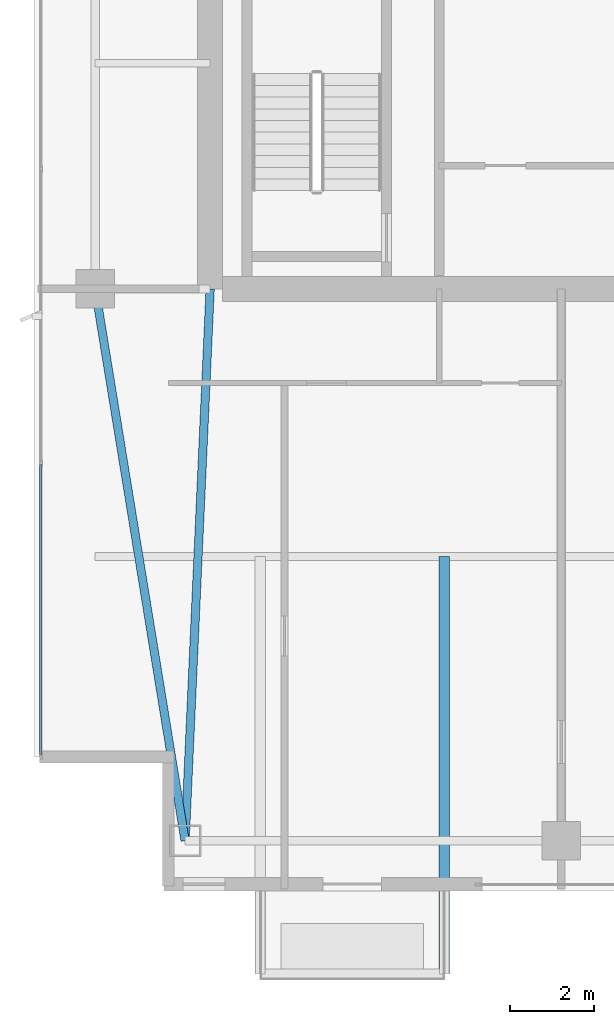
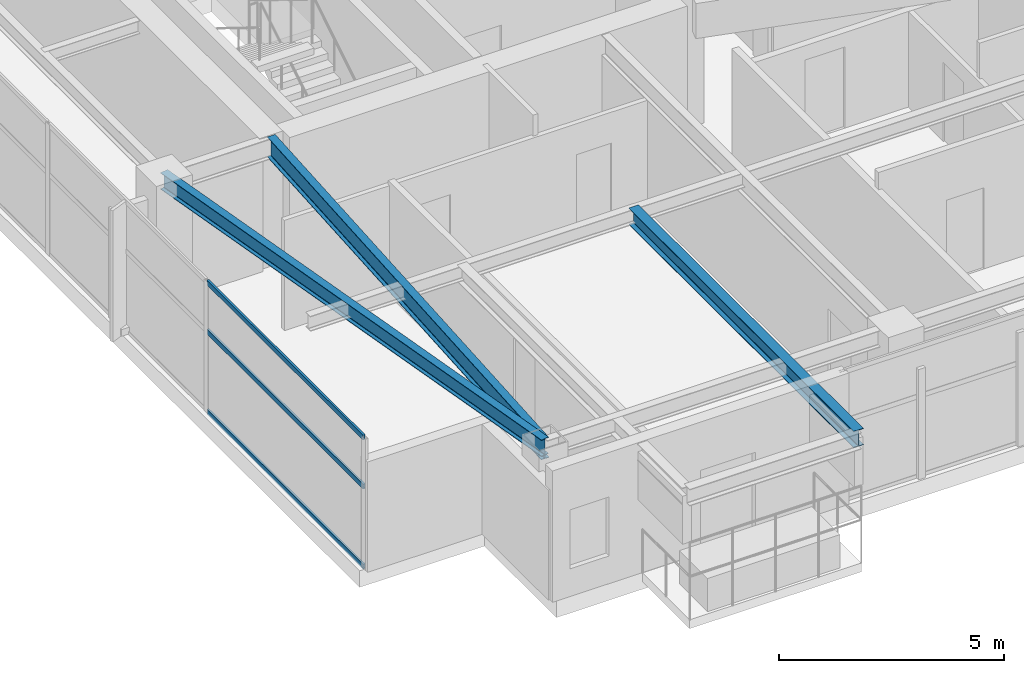
# One storey, part 4 of 27: 3 beams, 3 members, 1 element without a shape of its own.
"""IFC4 building model written with IfcOpenShell, lengths in metres."""

from ifc_helpers import new_model, si_unit, direction, frame, origin, origin_2d, place, context, subcontext, project, spatial, hollow_rectangle, i_section, extrude, material, layer, layer_set, material_profile, profile_set, type_object, element, aggregate, save


model = new_model("IFC4")

# Units and contexts
model_context = context("Model", 3, precision=1e-05, world=origin(), true_north=direction((0.0, 1.0)))
body_context = subcontext(model_context, "Body", "Model", "MODEL_VIEW")
ifc_project = project(units=[si_unit("LENGTHUNIT", "METRE"), si_unit("AREAUNIT", "SQUARE_METRE"), si_unit("VOLUMEUNIT", "CUBIC_METRE"), si_unit("PLANEANGLEUNIT", "RADIAN"), si_unit("MASSUNIT", "GRAM", prefix="KILO")], contexts=[model_context])

# Site, building, storey
site_placement = place(None, origin())
site = spatial("IfcSite", under=ifc_project, at=site_placement, CompositionType="ELEMENT")
building_placement = place(site_placement, origin())
building = spatial("IfcBuilding", under=site, at=building_placement, Name="Calvorn Quay Hotel", CompositionType="ELEMENT")
storey_placement = place(building_placement, frame((0.0, 0.0, 287.300048828125)))
storey = spatial("IfcBuildingStorey", under=building, at=storey_placement, Name="L71", CompositionType="ELEMENT", Elevation=287.300048828125)

# Beams
ifc_material_1 = material(Name="Steel Q355B", Category="steel")
ifc_material_profile_1 = material_profile(ifc_material_1, i_section(OverallWidth=0.25, OverallDepth=0.449951171875, WebThickness=0.011962890625, FlangeThickness=0.01611328125, FilletRadius=0.01611328125, at=origin_2d()), Name="HN450x250x12x16")
ifc_profile_set_1 = profile_set([ifc_material_profile_1], Name="Steel Q355B")
beam_type_1 = type_object("IfcBeamType", Name="BM-CANT-BALC", PredefinedType="BEAM", material=ifc_profile_set_1)
beam_1_placement = place(storey_placement, frame((9.800048828125, 10.39990234375, 3.31494140625), z_axis=(0.0, -1.0, 0.0), x_axis=(1.0, 0.0, 0.0)))
element("IfcBeam", 1, at=beam_1_placement, inside=storey, type_object=beam_type_1, Name="Cantilever Balcony Beam BCB-L72-2B", PredefinedType="BEAM", context=body_context, shape_type="SweptSolid", body=[
    extrude(i_section(OverallWidth=0.25, OverallDepth=0.449951171875, WebThickness=0.011962890625, FlangeThickness=0.01611328125, FilletRadius=0.01611328125, at=origin_2d()), origin(), (0.0, 0.0, 1.0), 9.989990234375),
])
ifc_material_2 = material(Name="Steel Q355B", Category="steel")
ifc_material_profile_2 = material_profile(ifc_material_2, i_section(OverallWidth=0.199951171875, OverallDepth=0.550048828125, WebThickness=0.010009765625, FlangeThickness=0.01611328125, FilletRadius=0.01806640625, at=origin_2d()), Name="HN550x200x10x16")
ifc_profile_set_2 = profile_set([ifc_material_profile_2], Name="Steel Q355B")
beam_type_2 = type_object("IfcBeamType", Name="BM-GIRD-UPP", PredefinedType="BEAM", material=ifc_profile_set_2)
beam_2_placement = place(storey_placement, frame((3.60009765625, 3.60009765625, 3.264892578125), z_axis=(0.045396765494, 0.998969035397, 0.0), x_axis=(-0.998969035397, 0.045396765494, 0.0)))
element("IfcBeam", 2, at=beam_2_placement, inside=storey, type_object=beam_type_2, Name="Beam BG-L71-W0", PredefinedType="BEAM", context=body_context, shape_type="SweptSolid", body=[
    extrude(i_section(OverallWidth=0.199951171875, OverallDepth=0.550048828125, WebThickness=0.010009765625, FlangeThickness=0.01611328125, FilletRadius=0.01806640625, at=origin_2d()), origin(), (0.0, 0.0, 1.0), 13.213623046875),
])
ifc_material_3 = material(Name="Steel Q355B", Category="steel")
ifc_material_profile_3 = material_profile(ifc_material_3, i_section(OverallWidth=0.199951171875, OverallDepth=0.449951171875, WebThickness=0.009033203125, FlangeThickness=0.013916015625, FilletRadius=0.01611328125, at=origin_2d()), Name="HN450x200x9x14")
ifc_profile_set_3 = profile_set([ifc_material_profile_3], Name="Steel Q355B")
beam_type_3 = type_object("IfcBeamType", Name="BM-SPANDREL-Z3", PredefinedType="SPANDREL", material=ifc_profile_set_3)
beam_3_placement = place(storey_placement, frame((3.60009765625, 3.60009765625, 3.31494140625), z_axis=(-0.16077155054, 0.986991645627, 0.0), x_axis=(-0.986991645627, -0.16077155054, 0.0)))
element("IfcBeam", 3, at=beam_3_placement, inside=storey, type_object=beam_type_3, Name="Beam BSP-L71-W1", PredefinedType="SPANDREL", context=body_context, shape_type="SweptSolid", body=[
    extrude(i_section(OverallWidth=0.199951171875, OverallDepth=0.449951171875, WebThickness=0.009033203125, FlangeThickness=0.013916015625, FilletRadius=0.01611328125, at=origin_2d()), origin(), (0.0, 0.0, 1.0), 13.3740234375),
])

# Curtain wall, members
ifc_material_4 = material(Name="Champagne Bronze Anodised Aluminium and Low-E Glass", Category="aluminium")
ifc_layer = layer(ifc_material_4, 0.219970703125)
ifc_layer_set = layer_set([ifc_layer], Name="CW-SYS-Z4")
curtain_wall_type = type_object("IfcCurtainWallType", Name="CW-SYS-Z4", PredefinedType="NOTDEFINED", material=ifc_layer_set)
curtain_wall_placement = place(storey_placement, origin())
curtain_wall = element("IfcCurtainWall", 4, at=curtain_wall_placement, inside=storey, type_object=curtain_wall_type, Name="Tower West Curtain Wall (L71)", PredefinedType="NOTDEFINED")
ifc_material_5 = material(Name="Champagne Bronze Anodised Aluminium 6063-T6", Category="aluminium")
ifc_material_profile_4 = material_profile(ifc_material_5, hollow_rectangle(XDim=0.054931640625, YDim=0.1298828125, WallThickness=0.003173828125, at=origin_2d()), Name="ALU-T130x55x3.2")
ifc_profile_set_4 = profile_set([ifc_material_profile_4], Name="Champagne Bronze Anodised Aluminium 6063-T6")
member_type = type_object("IfcMemberType", Name="CW-SYS-Z4-TRN", PredefinedType="USERDEFINED", material=ifc_profile_set_4)
member_1_placement = place(storey_placement, frame((0.14990234375, 5.659912109375, 0.030029296875), z_axis=(0.0, 1.0, 0.0), x_axis=(-1.0, 0.0, 0.0)))
member_1 = element("IfcMember", 5, at=member_1_placement, type_object=member_type, Name="CW-L71-W transom 1.1", ObjectType="TRANSOM", PredefinedType="USERDEFINED", context=body_context, shape_type="SweptSolid", body=[
    extrude(hollow_rectangle(XDim=0.054931640625, YDim=0.1298828125, WallThickness=0.003173828125, at=origin_2d()), origin(), (0.0, 0.0, 1.0), 6.943359375),
])
member_2_placement = place(storey_placement, frame((0.14990234375, 5.659912109375, 2.199951171875), z_axis=(0.0, 1.0, 0.0), x_axis=(-1.0, 0.0, 0.0)))
member_2 = element("IfcMember", 6, at=member_2_placement, type_object=member_type, Name="CW-L71-W transom 1.2", ObjectType="TRANSOM", PredefinedType="USERDEFINED", context=body_context, shape_type="SweptSolid", body=[
    extrude(hollow_rectangle(XDim=0.054931640625, YDim=0.1298828125, WallThickness=0.003173828125, at=origin_2d()), origin(), (0.0, 0.0, 1.0), 6.943359375),
])
member_3_placement = place(storey_placement, frame((0.14990234375, 5.659912109375, 3.530029296875), z_axis=(0.0, 1.0, 0.0), x_axis=(-1.0, 0.0, 0.0)))
member_3 = element("IfcMember", 7, at=member_3_placement, type_object=member_type, Name="CW-L71-W transom 1.3", ObjectType="TRANSOM", PredefinedType="USERDEFINED", context=body_context, shape_type="SweptSolid", body=[
    extrude(hollow_rectangle(XDim=0.054931640625, YDim=0.1298828125, WallThickness=0.003173828125, at=origin_2d()), origin(), (0.0, 0.0, 1.0), 6.943359375),
])
aggregate(curtain_wall, [member_1, member_2, member_3])

save(model, "model.ifc")
